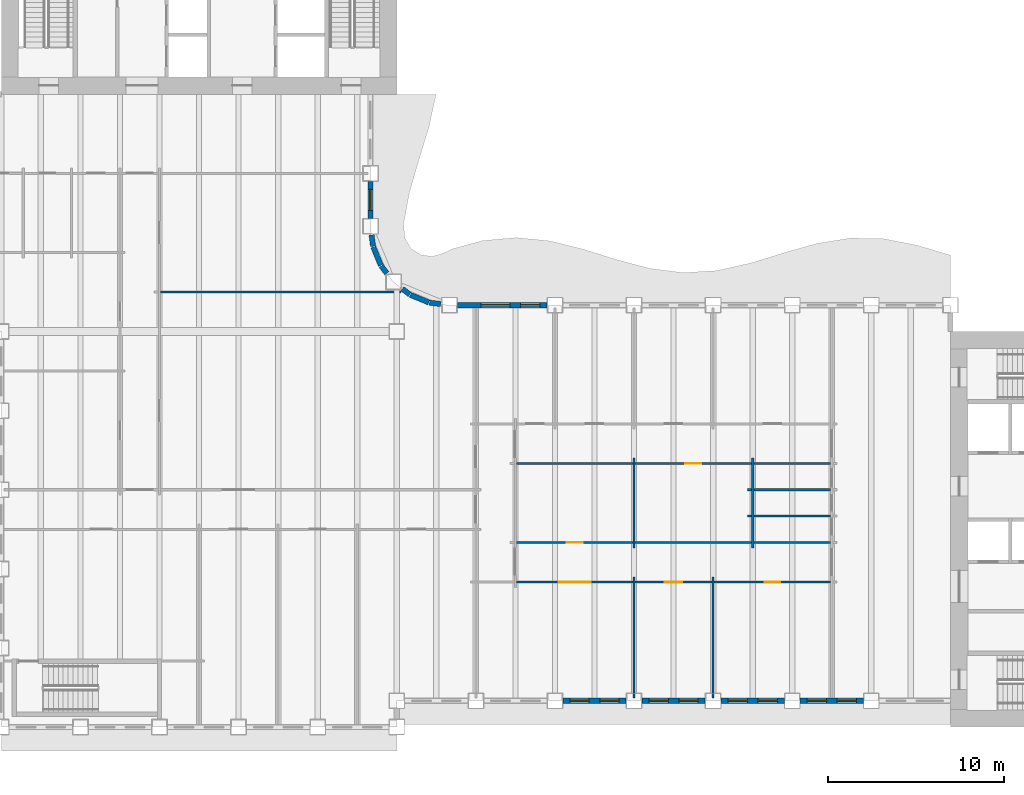
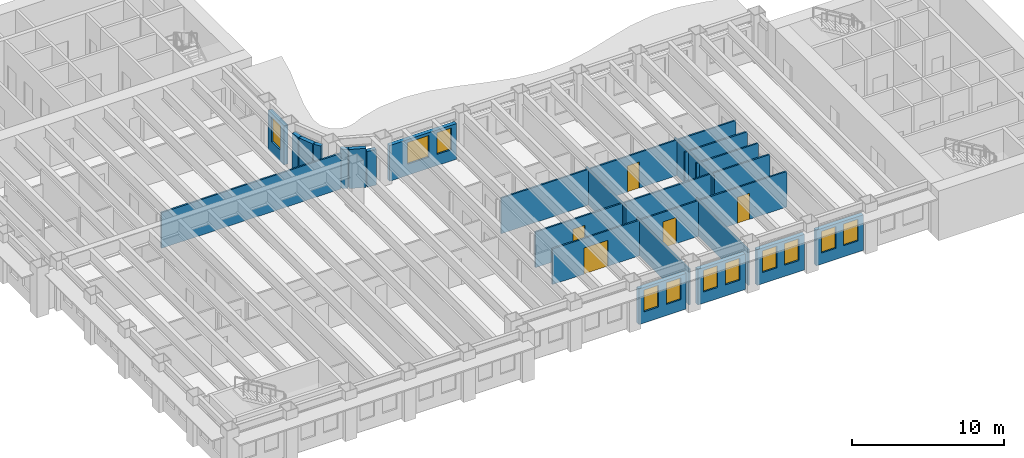
# One storey, part 5 of 16: 30 walls, 11 windows, 5 doors, 16 openings.
"""IFC4 building model written with IfcOpenShell, lengths in metres."""

import ifcopenshell
import ifcopenshell.guid

model = None  # the IFC model being written
_history = None  # IfcOwnerHistory: only IFC2X3 demands one
_inside = {}  # id of a spatial element -> (the spatial element, [elements in it])
_under = {}  # id of a project, library or spatial element -> (it, [spatial elements below it])
_declared = {}  # id of a project -> (the project, [libraries it declares])
_typed = {}  # id of a type object -> (the type object, [elements of that type])
_made_of = {}  # id of a material, layer set ... -> (it, [elements and type objects made of it])


def new_model(schema):
    """Start an empty IFC model of exactly this schema.

    Asked for "IFC4X3", IfcOpenShell would pick the latest addendum, in which some entities
    have other attributes; the version numbers below select the first issue.
    IFC2X3 requires an IfcOwnerHistory on every rooted entity: one is made here for all.
    """
    global model, _history
    if schema == "IFC4X3":
        model = ifcopenshell.file(schema_version=(4, 3, 0, 0))
    else:
        model = ifcopenshell.file(schema=schema)
    _inside.clear()
    _under.clear()
    _declared.clear()
    _typed.clear()
    _made_of.clear()
    _history = None
    if model.schema == "IFC2X3":
        org = make("IfcOrganization", Name="unknown")
        user = make(
            "IfcPersonAndOrganization",
            ThePerson=make("IfcPerson", FamilyName="unknown"),
            TheOrganization=org,
        )
        app = make(
            "IfcApplication",
            ApplicationDeveloper=org,
            Version="unknown",
            ApplicationFullName="unknown",
            ApplicationIdentifier="unknown",
        )
        _history = make(
            "IfcOwnerHistory",
            OwningUser=user,
            OwningApplication=app,
            ChangeAction="ADDED",
            CreationDate=0,
        )
    return model


def make(cls, **values):
    """One entity of the class cls with the attributes given. An attribute that is None is left unset."""
    return model.create_entity(
        cls, **{name: value for name, value in values.items() if value is not None}
    )


def rooted(cls, **values):
    """An entity with a GlobalId (a new one), such as an element, a storey or a relation."""
    return make(cls, GlobalId=ifcopenshell.guid.new(), OwnerHistory=_history, **values)


def si_unit(unit_type, name, prefix=None):
    """IfcSIUnit, for example si_unit("LENGTHUNIT", "METRE", prefix="MILLI")."""
    return make("IfcSIUnit", UnitType=unit_type, Prefix=prefix, Name=name)


def assignment(units):
    """IfcUnitAssignment: the units of a project."""
    return None if units is None else make("IfcUnitAssignment", Units=units)


def point(xyz):
    """IfcCartesianPoint."""
    return None if xyz is None else make("IfcCartesianPoint", Coordinates=xyz)


def direction(xyz):
    """IfcDirection."""
    return None if xyz is None else make("IfcDirection", DirectionRatios=xyz)


def frame(location, z_axis=None, x_axis=None):
    """IfcAxis2Placement3D, a coordinate frame: its origin and axes. An axis left out is left unset."""
    return make(
        "IfcAxis2Placement3D",
        Location=point(location),
        Axis=direction(z_axis),
        RefDirection=direction(x_axis),
    )


def frame_2d(location, x_axis=None):
    """IfcAxis2Placement2D, a coordinate frame in the plane: its origin and x axis."""
    return make(
        "IfcAxis2Placement2D", Location=point(location), RefDirection=direction(x_axis)
    )


def origin():
    """The frame at (0, 0, 0) with its axes left unset."""
    return frame((0.0, 0.0, 0.0))


def place(relative_to, where):
    """IfcLocalPlacement: puts the frame where relative to a parent placement (None: the world)."""
    return make(
        "IfcLocalPlacement", PlacementRelTo=relative_to, RelativePlacement=where
    )


def context(
    kind, dimensions, precision=None, world=None, true_north=None, identifier=None
):
    """IfcGeometricRepresentationContext, for example the 3D "Model" context."""
    return make(
        "IfcGeometricRepresentationContext",
        ContextIdentifier=identifier,
        ContextType=kind,
        CoordinateSpaceDimension=dimensions,
        Precision=precision,
        WorldCoordinateSystem=world,
        TrueNorth=true_north,
    )


def subcontext(parent, identifier, kind, view, scale=None):
    """IfcGeometricRepresentationSubContext, for example "Body" below "Model"."""
    return make(
        "IfcGeometricRepresentationSubContext",
        ContextIdentifier=identifier,
        ContextType=kind,
        ParentContext=parent,
        TargetScale=scale,
        TargetView=view,
    )


def project(units=None, contexts=None):
    """IfcProject with its units and contexts."""
    return rooted(
        "IfcProject",
        Name="project",
        RepresentationContexts=contexts,
        UnitsInContext=assignment(units),
    )


def spatial(cls, under=None, at=None, **own):
    """A site, building, storey or space (cls), placed at a placement, below another one or the project."""
    s = rooted(cls, ObjectPlacement=at, **own)
    if under is not None:
        _under.setdefault(under.id(), (under, []))[1].append(s)
    return s


def profile(cls, at=None, kind="AREA", **sizes):
    """A parametric profile (cls). Its sizes go by their IFC names, for example OverallWidth=200.0."""
    return make(cls, ProfileType=kind, Position=at, **sizes)


def rectangle(**sizes):
    """IfcRectangleProfileDef."""
    return profile("IfcRectangleProfileDef", **sizes)


def extrude(swept, where, along, depth):
    """IfcExtrudedAreaSolid: the profile swept, set in the frame where, extruded along a direction by depth."""
    return make(
        "IfcExtrudedAreaSolid",
        SweptArea=swept,
        Position=where,
        ExtrudedDirection=direction(along),
        Depth=depth,
    )


def shape(context_of_items, identifier, shape_type, items):
    """IfcShapeRepresentation: the items that make up one representation, for example the "Body"."""
    return make(
        "IfcShapeRepresentation",
        ContextOfItems=context_of_items,
        RepresentationIdentifier=identifier,
        RepresentationType=shape_type,
        Items=items,
    )


def material(Name=None, Category=None):
    """IfcMaterial."""
    return make("IfcMaterial", Name=Name, Category=Category)


def layer(
    of_material, thickness, ventilated=None, Name=None, Category=None, Priority=None
):
    """IfcMaterialLayer: one layer of a wall or slab, of a material (None: an air gap)."""
    return make(
        "IfcMaterialLayer",
        Material=of_material,
        LayerThickness=thickness,
        IsVentilated=ventilated,
        Name=Name,
        Category=Category,
        Priority=Priority,
    )


def layer_set(layers, Name=None):
    """IfcMaterialLayerSet."""
    return make("IfcMaterialLayerSet", MaterialLayers=layers, LayerSetName=Name)


def made_of(thing, what):
    """Note that an element or type object is made of a material, layer set ...; save() writes the relation."""
    if what is not None:
        _made_of.setdefault(what.id(), (what, []))[1].append(thing)
    return thing


def type_object(cls, material=None, **own):
    """A type object (cls), such as IfcWallType, which elements share."""
    return made_of(rooted(cls, **own), material)


def element(
    cls,
    number,
    at=None,
    inside=None,
    cuts=None,
    type_object=None,
    material=None,
    context=None,
    identifier="Body",
    shape_type=None,
    held_by="IfcProductDefinitionShape",
    body=None,
    shapes=None,
    **own,
):
    """One element of the class cls, such as IfcWall. Its Tag is "e" and its number.

    at: its placement. inside: the storey or other place that contains it. cuts: it is an
    opening in that element (IfcRelVoidsElement). A single representation is given by context,
    identifier, shape_type and body (its items); several are given by shapes. held_by: the class
    of the entity that holds the representations. save() writes the other relations.
    """
    e = rooted(cls, Tag="e%d" % number, ObjectPlacement=at, **own)
    if body is not None:
        shapes = [shape(context, identifier, shape_type, body)]
    if shapes is not None:
        e.Representation = make(held_by, Representations=shapes)
    if inside is not None:
        _inside.setdefault(inside.id(), (inside, []))[1].append(e)
    if cuts is not None:
        rooted(
            "IfcRelVoidsElement", RelatingBuildingElement=cuts, RelatedOpeningElement=e
        )
    if type_object is not None:
        _typed.setdefault(type_object.id(), (type_object, []))[1].append(e)
    return made_of(e, material)


def fill(opening, filler):
    """IfcRelFillsElement: the door or window that sits in an opening."""
    return rooted(
        "IfcRelFillsElement",
        RelatingOpeningElement=opening,
        RelatedBuildingElement=filler,
    )


def aggregate(whole, parts):
    """IfcRelAggregates: a whole, such as a stair, and the parts it consists of."""
    return rooted("IfcRelAggregates", RelatingObject=whole, RelatedObjects=parts)


def save(model, path):
    """Write the relations noted so far, then the file.

    IfcRelAggregates (storeys below a building ...), IfcRelContainedInSpatialStructure (elements
    in a storey), IfcRelDefinesByType, IfcRelAssociatesMaterial and IfcRelDeclares: one each for
    every whole, place, type object, material and project.
    """
    for whole, parts in _under.values():
        aggregate(whole, parts)
    for where, things in _inside.values():
        rooted(
            "IfcRelContainedInSpatialStructure",
            RelatedElements=things,
            RelatingStructure=where,
        )
    for kind, things in _typed.values():
        rooted("IfcRelDefinesByType", RelatedObjects=things, RelatingType=kind)
    for what, things in _made_of.values():
        rooted("IfcRelAssociatesMaterial", RelatedObjects=things, RelatingMaterial=what)
    for by, libraries in _declared.values():
        rooted("IfcRelDeclares", RelatingContext=by, RelatedDefinitions=libraries)
    model.write(path)


model = new_model("IFC4")

# Units and contexts
model_context = context("Model", 3, precision=1e-05, world=origin(), true_north=direction((0.0, 1.0)))
body_context = subcontext(model_context, "Body", "Model", "MODEL_VIEW")
ifc_project = project(units=[si_unit("LENGTHUNIT", "METRE"), si_unit("AREAUNIT", "SQUARE_METRE"), si_unit("VOLUMEUNIT", "CUBIC_METRE"), si_unit("PLANEANGLEUNIT", "RADIAN"), si_unit("MASSUNIT", "GRAM", prefix="KILO")], contexts=[model_context])

# Site, building, storey
site_placement = place(None, origin())
site = spatial("IfcSite", under=ifc_project, at=site_placement, CompositionType="ELEMENT")
building_placement = place(site_placement, origin())
building = spatial("IfcBuilding", under=site, at=building_placement, Name="Sennacour Bend Tower", CompositionType="ELEMENT")
storey_placement = place(building_placement, frame((0.0, 0.0, 175.0)))
storey = spatial("IfcBuildingStorey", under=building, at=storey_placement, Name="L40", CompositionType="ELEMENT", Elevation=175.0)

# Walls
ifc_material_1 = material(Name="Plasterboard partition on steel studs", Category="steel")
ifc_layer_1 = layer(ifc_material_1, 0.1201171875, Name="Plasterboard partition on steel studs", Category="steel")
ifc_layer_set_1 = layer_set([ifc_layer_1], Name="Plasterboard partition on steel studs")
wall_type_1 = type_object("IfcWallType", Name="Partition 120", PredefinedType="PARTITIONING", material=ifc_layer_set_1)
wall_1_placement = place(storey_placement, frame((36.0, 1.64990234375, 0.0), z_axis=(0.0, 0.0, 1.0), x_axis=(0.0, 1.0, 0.0)))
element("IfcWall", 1, at=wall_1_placement, inside=storey, type_object=wall_type_1, Name="P-L40-W030a", PredefinedType="PARTITIONING", context=body_context, shape_type="SweptSolid", body=[
    extrude(rectangle(XDim=6.900146484375, YDim=0.1201171875, at=frame_2d((3.4501953125, 0.0))), origin(), (0.0, 0.0, 1.0), 2.8701171875),
])
wall_2_placement = place(storey_placement, frame((36.0, 10.199951171875, 0.0), z_axis=(0.0, 0.0, 1.0), x_axis=(0.0, 1.0, 0.0)))
element("IfcWall", 2, at=wall_2_placement, inside=storey, type_object=wall_type_1, Name="P-L40-W031a", PredefinedType="PARTITIONING", context=body_context, shape_type="SweptSolid", body=[
    extrude(rectangle(XDim=5.10009765625, YDim=0.1201171875, at=frame_2d((2.550048828125, 0.0))), origin(), (0.0, 0.0, 1.0), 2.8701171875),
])
wall_3_placement = place(storey_placement, frame((40.5, 1.64990234375, 0.0), z_axis=(0.0, 0.0, 1.0), x_axis=(0.0, 1.0, 0.0)))
element("IfcWall", 3, at=wall_3_placement, inside=storey, type_object=wall_type_1, Name="P-L40-W033a", PredefinedType="PARTITIONING", context=body_context, shape_type="SweptSolid", body=[
    extrude(rectangle(XDim=6.900146484375, YDim=0.1201171875, at=frame_2d((3.4501953125, 0.0))), origin(), (0.0, 0.0, 1.0), 2.8701171875),
])
wall_4_placement = place(storey_placement, frame((42.75, 10.199951171875, 0.0), z_axis=(0.0, 0.0, 1.0), x_axis=(0.0, 1.0, 0.0)))
element("IfcWall", 4, at=wall_4_placement, inside=storey, type_object=wall_type_1, Name="P-L40-W035a", PredefinedType="PARTITIONING", context=body_context, shape_type="SweptSolid", body=[
    extrude(rectangle(XDim=5.10009765625, YDim=0.1201171875, at=frame_2d((2.550048828125, 0.0))), origin(), (0.0, 0.0, 1.0), 2.8701171875),
])

# Wall, opening, door
wall_5_placement = place(storey_placement, frame((29.31005859375, 8.25, 0.0), z_axis=(0.0, 0.0, 1.0), x_axis=(1.0, 0.0, 0.0)))
wall_5 = element("IfcWall", 5, at=wall_5_placement, inside=storey, type_object=wall_type_1, Name="P-L40-W060ac", PredefinedType="PARTITIONING", context=body_context, shape_type="SweptSolid", body=[
    extrude(rectangle(XDim=6.6298828125, YDim=0.1201171875, at=frame_2d((3.31494140625, 0.0))), origin(), (0.0, 0.0, 1.0), 2.8701171875),
])
opening_1_placement = place(wall_5_placement, frame((2.414794921875, 0.0, 0.0)))
opening_1 = element("IfcOpeningElement", 6, at=opening_1_placement, cuts=wall_5, Name="Opening OD3", PredefinedType="OPENING", context=body_context, shape_type="SweptSolid", body=[
    extrude(rectangle(XDim=1.800048828125, YDim=2.10009765625, at=frame_2d((0.89990234375, 1.050048828125))), frame((0.0, 0.070068359375, 0.0), z_axis=(0.0, -1.0, 0.0), x_axis=(1.0, 0.0, 0.0)), (0.0, 0.0, 1.0), 0.14013671875),
])
ifc_material_2 = material(Name="Timber", Category="wood")
door_type_1 = type_object("IfcDoorType", Name="DR-OFFICE-1800", OperationType="NOTDEFINED", PredefinedType="DOOR", material=ifc_material_2)
door_1_placement = place(opening_1_placement, origin())
door_1 = element("IfcDoor", 7, at=door_1_placement, inside=storey, type_object=door_type_1, Name="Door", OperationType="DOUBLE_DOOR_SINGLE_SWING", OverallHeight=2.10009765625, OverallWidth=1.800048828125, PredefinedType="DOOR", context=body_context, shape_type="SweptSolid", body=[
    extrude(rectangle(XDim=1.800048828125, YDim=2.10009765625, at=frame_2d((0.89990234375, 1.050048828125))), frame((0.0, 0.02490234375, 0.0), z_axis=(0.0, -1.0, 0.0), x_axis=(1.0, 0.0, 0.0)), (0.0, 0.0, 1.0), 0.050048828125),
])
fill(opening_1, door_1)

wall_6_placement = place(storey_placement, frame((36.06005859375, 8.25, 0.0), z_axis=(0.0, 0.0, 1.0), x_axis=(1.0, 0.0, 0.0)))
wall_6 = element("IfcWall", 8, at=wall_6_placement, inside=storey, type_object=wall_type_1, Name="P-L40-W060ad", PredefinedType="PARTITIONING", context=body_context, shape_type="SweptSolid", body=[
    extrude(rectangle(XDim=4.3798828125, YDim=0.1201171875, at=frame_2d((2.18994140625, 0.0))), origin(), (0.0, 0.0, 1.0), 2.8701171875),
])
opening_2_placement = place(wall_6_placement, frame((1.68994140625, 0.0, 0.0)))
opening_2 = element("IfcOpeningElement", 9, at=opening_2_placement, cuts=wall_6, Name="Opening OD2", PredefinedType="OPENING", context=body_context, shape_type="SweptSolid", body=[
    extrude(rectangle(XDim=1.0, YDim=2.10009765625, at=frame_2d((0.5, 1.050048828125))), frame((0.0, 0.070068359375, 0.0), z_axis=(0.0, -1.0, 0.0), x_axis=(1.0, 0.0, 0.0)), (0.0, 0.0, 1.0), 0.14013671875),
])
door_type_2 = type_object("IfcDoorType", Name="DR-OFFICE-1000", OperationType="NOTDEFINED", PredefinedType="DOOR", material=ifc_material_2)
door_2_placement = place(opening_2_placement, origin())
door_2 = element("IfcDoor", 10, at=door_2_placement, inside=storey, type_object=door_type_2, Name="Door", OperationType="SINGLE_SWING_LEFT", OverallHeight=2.10009765625, OverallWidth=1.0, PredefinedType="DOOR", context=body_context, shape_type="SweptSolid", body=[
    extrude(rectangle(XDim=1.0, YDim=2.10009765625, at=frame_2d((0.5, 1.050048828125))), frame((0.0, 0.02490234375, 0.0), z_axis=(0.0, -1.0, 0.0), x_axis=(1.0, 0.0, 0.0)), (0.0, 0.0, 1.0), 0.050048828125),
])
fill(opening_2, door_2)

# Walls
wall_7_placement = place(storey_placement, frame((36.06005859375, 10.5, 0.0), z_axis=(0.0, 0.0, 1.0), x_axis=(1.0, 0.0, 0.0)))
element("IfcWall", 11, at=wall_7_placement, inside=storey, type_object=wall_type_1, Name="P-L40-W063ac", PredefinedType="PARTITIONING", context=body_context, shape_type="SweptSolid", body=[
    extrude(rectangle(XDim=6.6298828125, YDim=0.1201171875, at=frame_2d((3.31494140625, 0.0))), origin(), (0.0, 0.0, 1.0), 2.8701171875),
])
wall_8_placement = place(storey_placement, frame((42.81005859375, 10.5, 0.0), z_axis=(0.0, 0.0, 1.0), x_axis=(1.0, 0.0, 0.0)))
element("IfcWall", 12, at=wall_8_placement, inside=storey, type_object=wall_type_1, Name="P-L40-W063ad", PredefinedType="PARTITIONING", context=body_context, shape_type="SweptSolid", body=[
    extrude(rectangle(XDim=4.3798828125, YDim=0.1201171875, at=frame_2d((2.18994140625, 0.0))), origin(), (0.0, 0.0, 1.0), 2.8701171875),
])
wall_9_placement = place(storey_placement, frame((42.449951171875, 12.0, 0.0), z_axis=(0.0, 0.0, 1.0), x_axis=(1.0, 0.0, 0.0)))
element("IfcWall", 13, at=wall_9_placement, inside=storey, type_object=wall_type_1, Name="P-L40-W067aa", PredefinedType="PARTITIONING", context=body_context, shape_type="SweptSolid", body=[
    extrude(rectangle(XDim=0.239990234375, YDim=0.1201171875, at=frame_2d((0.1201171875, 0.0))), origin(), (0.0, 0.0, 1.0), 2.8701171875),
])
wall_10_placement = place(storey_placement, frame((42.81005859375, 12.0, 0.0), z_axis=(0.0, 0.0, 1.0), x_axis=(1.0, 0.0, 0.0)))
element("IfcWall", 14, at=wall_10_placement, inside=storey, type_object=wall_type_1, Name="P-L40-W067ab", PredefinedType="PARTITIONING", context=body_context, shape_type="SweptSolid", body=[
    extrude(rectangle(XDim=4.3798828125, YDim=0.1201171875, at=frame_2d((2.18994140625, 0.0))), origin(), (0.0, 0.0, 1.0), 2.8701171875),
])
wall_11_placement = place(storey_placement, frame((42.449951171875, 13.5, 0.0), z_axis=(0.0, 0.0, 1.0), x_axis=(1.0, 0.0, 0.0)))
element("IfcWall", 15, at=wall_11_placement, inside=storey, type_object=wall_type_1, Name="P-L40-W069aa", PredefinedType="PARTITIONING", context=body_context, shape_type="SweptSolid", body=[
    extrude(rectangle(XDim=0.239990234375, YDim=0.1201171875, at=frame_2d((0.1201171875, 0.0))), origin(), (0.0, 0.0, 1.0), 2.8701171875),
])
wall_12_placement = place(storey_placement, frame((42.81005859375, 13.5, 0.0), z_axis=(0.0, 0.0, 1.0), x_axis=(1.0, 0.0, 0.0)))
element("IfcWall", 16, at=wall_12_placement, inside=storey, type_object=wall_type_1, Name="P-L40-W069ab", PredefinedType="PARTITIONING", context=body_context, shape_type="SweptSolid", body=[
    extrude(rectangle(XDim=4.3798828125, YDim=0.1201171875, at=frame_2d((2.18994140625, 0.0))), origin(), (0.0, 0.0, 1.0), 2.8701171875),
])
wall_13_placement = place(storey_placement, frame((29.31005859375, 15.0, 0.0), z_axis=(0.0, 0.0, 1.0), x_axis=(1.0, 0.0, 0.0)))
element("IfcWall", 17, at=wall_13_placement, inside=storey, type_object=wall_type_1, Name="P-L40-W070ab", PredefinedType="PARTITIONING", context=body_context, shape_type="SweptSolid", body=[
    extrude(rectangle(XDim=6.6298828125, YDim=0.1201171875, at=frame_2d((3.31494140625, 0.0))), origin(), (0.0, 0.0, 1.0), 2.8701171875),
])
wall_14_placement = place(storey_placement, frame((42.81005859375, 15.0, 0.0), z_axis=(0.0, 0.0, 1.0), x_axis=(1.0, 0.0, 0.0)))
element("IfcWall", 18, at=wall_14_placement, inside=storey, type_object=wall_type_1, Name="P-L40-W070ad", PredefinedType="PARTITIONING", context=body_context, shape_type="SweptSolid", body=[
    extrude(rectangle(XDim=4.3798828125, YDim=0.1201171875, at=frame_2d((2.18994140625, 0.0))), origin(), (0.0, 0.0, 1.0), 2.8701171875),
])
wall_15_placement = place(storey_placement, frame((9.06005859375, 24.75, 0.0), z_axis=(0.0, 0.0, 1.0), x_axis=(1.0, 0.0, 0.0)))
element("IfcWall", 19, at=wall_15_placement, inside=storey, type_object=wall_type_1, Name="P-L40-W080ab", PredefinedType="PARTITIONING", context=body_context, shape_type="SweptSolid", body=[
    extrude(rectangle(XDim=13.6904296875, YDim=0.1201171875, at=frame_2d((6.84521484375, 0.0))), origin(), (0.0, 0.0, 1.0), 2.8701171875),
])

# Wall, opening, door
ifc_layer_2 = layer(ifc_material_1, 0.1201171875, Name="Plasterboard partition on steel studs", Category="steel")
ifc_layer_set_2 = layer_set([ifc_layer_2], Name="Plasterboard partition on steel studs")
wall_type_2 = type_object("IfcWallType", Name="Partition 120 EI 60", PredefinedType="PARTITIONING", material=ifc_layer_set_2)
wall_16_placement = place(storey_placement, frame((40.56005859375, 8.25, 0.0), z_axis=(0.0, 0.0, 1.0), x_axis=(1.0, 0.0, 0.0)))
wall_16 = element("IfcWall", 20, at=wall_16_placement, inside=storey, type_object=wall_type_2, Name="P-L40-W060ae", PredefinedType="PARTITIONING", context=body_context, shape_type="SweptSolid", body=[
    extrude(rectangle(XDim=6.6298828125, YDim=0.1201171875, at=frame_2d((3.31494140625, 0.0))), origin(), (0.0, 0.0, 1.0), 2.8701171875),
])
opening_3_placement = place(wall_16_placement, frame((2.864990234375, 0.0, 0.0)))
opening_3 = element("IfcOpeningElement", 21, at=opening_3_placement, cuts=wall_16, Name="Opening SV", PredefinedType="OPENING", context=body_context, shape_type="SweptSolid", body=[
    extrude(rectangle(XDim=0.89990234375, YDim=2.10009765625, at=frame_2d((0.449951171875, 1.050048828125))), frame((0.0, 0.070068359375, 0.0), z_axis=(0.0, -1.0, 0.0), x_axis=(1.0, 0.0, 0.0)), (0.0, 0.0, 1.0), 0.14013671875),
])
ifc_material_3 = material(Name="Painted steel", Category="steel")
door_type_3 = type_object("IfcDoorType", Name="DR-SERVICE-900", OperationType="NOTDEFINED", PredefinedType="DOOR", material=ifc_material_3)
door_3_placement = place(opening_3_placement, origin())
door_3 = element("IfcDoor", 22, at=door_3_placement, inside=storey, type_object=door_type_3, Name="Door", OperationType="SINGLE_SWING_LEFT", OverallHeight=2.10009765625, OverallWidth=0.89990234375, PredefinedType="DOOR", context=body_context, shape_type="SweptSolid", body=[
    extrude(rectangle(XDim=0.89990234375, YDim=2.10009765625, at=frame_2d((0.449951171875, 1.050048828125))), frame((0.0, 0.02490234375, 0.0), z_axis=(0.0, -1.0, 0.0), x_axis=(1.0, 0.0, 0.0)), (0.0, 0.0, 1.0), 0.050048828125),
])
fill(opening_3, door_3)

wall_17_placement = place(storey_placement, frame((29.31005859375, 10.5, 0.0), z_axis=(0.0, 0.0, 1.0), x_axis=(1.0, 0.0, 0.0)))
wall_17 = element("IfcWall", 23, at=wall_17_placement, inside=storey, type_object=wall_type_2, Name="P-L40-W063ab", PredefinedType="PARTITIONING", context=body_context, shape_type="SweptSolid", body=[
    extrude(rectangle(XDim=6.6298828125, YDim=0.1201171875, at=frame_2d((3.31494140625, 0.0))), origin(), (0.0, 0.0, 1.0), 2.8701171875),
])
opening_4_placement = place(wall_17_placement, frame((2.864990234375, 0.0, 0.0)))
opening_4 = element("IfcOpeningElement", 24, at=opening_4_placement, cuts=wall_17, Name="Opening SV", PredefinedType="OPENING", context=body_context, shape_type="SweptSolid", body=[
    extrude(rectangle(XDim=0.89990234375, YDim=2.10009765625, at=frame_2d((0.449951171875, 1.050048828125))), frame((0.0, 0.070068359375, 0.0), z_axis=(0.0, -1.0, 0.0), x_axis=(1.0, 0.0, 0.0)), (0.0, 0.0, 1.0), 0.14013671875),
])
door_4_placement = place(opening_4_placement, origin())
door_4 = element("IfcDoor", 25, at=door_4_placement, inside=storey, type_object=door_type_3, Name="Door", OperationType="SINGLE_SWING_LEFT", OverallHeight=2.10009765625, OverallWidth=0.89990234375, PredefinedType="DOOR", context=body_context, shape_type="SweptSolid", body=[
    extrude(rectangle(XDim=0.89990234375, YDim=2.10009765625, at=frame_2d((0.449951171875, 1.050048828125))), frame((0.0, 0.02490234375, 0.0), z_axis=(0.0, -1.0, 0.0), x_axis=(1.0, 0.0, 0.0)), (0.0, 0.0, 1.0), 0.050048828125),
])
fill(opening_4, door_4)

wall_18_placement = place(storey_placement, frame((36.06005859375, 15.0, 0.0), z_axis=(0.0, 0.0, 1.0), x_axis=(1.0, 0.0, 0.0)))
wall_18 = element("IfcWall", 26, at=wall_18_placement, inside=storey, type_object=wall_type_2, Name="P-L40-W070ac", PredefinedType="PARTITIONING", context=body_context, shape_type="SweptSolid", body=[
    extrude(rectangle(XDim=6.6298828125, YDim=0.1201171875, at=frame_2d((3.31494140625, 0.0))), origin(), (0.0, 0.0, 1.0), 2.8701171875),
])
opening_5_placement = place(wall_18_placement, frame((2.864990234375, 0.0, 0.0)))
opening_5 = element("IfcOpeningElement", 27, at=opening_5_placement, cuts=wall_18, Name="Opening SV", PredefinedType="OPENING", context=body_context, shape_type="SweptSolid", body=[
    extrude(rectangle(XDim=0.89990234375, YDim=2.10009765625, at=frame_2d((0.449951171875, 1.050048828125))), frame((0.0, 0.070068359375, 0.0), z_axis=(0.0, -1.0, 0.0), x_axis=(1.0, 0.0, 0.0)), (0.0, 0.0, 1.0), 0.14013671875),
])
door_5_placement = place(opening_5_placement, origin())
door_5 = element("IfcDoor", 28, at=door_5_placement, inside=storey, type_object=door_type_3, Name="Door", OperationType="SINGLE_SWING_LEFT", OverallHeight=2.10009765625, OverallWidth=0.89990234375, PredefinedType="DOOR", context=body_context, shape_type="SweptSolid", body=[
    extrude(rectangle(XDim=0.89990234375, YDim=2.10009765625, at=frame_2d((0.449951171875, 1.050048828125))), frame((0.0, 0.02490234375, 0.0), z_axis=(0.0, -1.0, 0.0), x_axis=(1.0, 0.0, 0.0)), (0.0, 0.0, 1.0), 0.050048828125),
])
fill(opening_5, door_5)

# Wall, openings, windows
ifc_material_4 = material(Name="Warm limestone cladding", Category="masonry")
ifc_layer_3 = layer(ifc_material_4, 0.050048828125, Name="Warm limestone cladding", Category="masonry")
ifc_material_5 = material(Name="Precast concrete C40/50", Category="concrete")
ifc_layer_4 = layer(ifc_material_5, 0.25, Name="Precast concrete C40/50", Category="concrete")
ifc_layer_set_3 = layer_set([ifc_layer_3, ifc_layer_4], Name="Precast concrete C40/50 with limestone cladding")
wall_type_3 = type_object("IfcWallType", Name="STONE-CLAD PRECAST SPANDREL 300", PredefinedType="STANDARD", material=ifc_layer_set_3)
wall_19_placement = place(storey_placement, frame((31.949951171875, 1.5, 0.0), z_axis=(0.0, 0.0, 1.0), x_axis=(1.0, 0.0, 0.0)))
wall_19 = element("IfcWall", 29, at=wall_19_placement, inside=storey, type_object=wall_type_3, Name="Stone spandrel and pier wall L40 02.02", PredefinedType="STANDARD", context=body_context, shape_type="SweptSolid", body=[
    extrude(rectangle(XDim=3.60009765625, YDim=0.300048828125, at=frame_2d((1.800048828125, 0.0))), origin(), (0.0, 0.0, 1.0), 2.8701171875),
])
opening_6_placement = place(wall_19_placement, frame((0.39990234375, 0.0, 0.89990234375)))
opening_6 = element("IfcOpeningElement", 30, at=opening_6_placement, cuts=wall_19, Name="Opening W17", PredefinedType="OPENING", context=body_context, shape_type="SweptSolid", body=[
    extrude(rectangle(XDim=1.10009765625, YDim=1.75, at=frame_2d((0.550048828125, 0.875))), frame((0.0, 0.16015625, 0.0), z_axis=(0.0, -1.0, 0.0), x_axis=(1.0, 0.0, 0.0)), (0.0, 0.0, 1.0), 0.320068359375),
])
opening_7_placement = place(wall_19_placement, frame((2.10009765625, 0.0, 0.89990234375)))
opening_7 = element("IfcOpeningElement", 31, at=opening_7_placement, cuts=wall_19, Name="Opening W17", PredefinedType="OPENING", context=body_context, shape_type="SweptSolid", body=[
    extrude(rectangle(XDim=1.10009765625, YDim=1.75, at=frame_2d((0.550048828125, 0.875))), frame((0.0, 0.16015625, 0.0), z_axis=(0.0, -1.0, 0.0), x_axis=(1.0, 0.0, 0.0)), (0.0, 0.0, 1.0), 0.320068359375),
])
ifc_material_6 = material(Name="Clear low-emissivity glass", Category="glass")
window_type_1 = type_object("IfcWindowType", Name="WIN-RIBBON-1100x1750", PartitioningType="SINGLE_PANEL", PredefinedType="WINDOW", material=ifc_material_6)
window_1_placement = place(opening_6_placement, origin())
window_1 = element("IfcWindow", 32, at=window_1_placement, inside=storey, type_object=window_type_1, Name="Ribbon window L40 02.02.0", OverallHeight=1.75, OverallWidth=1.10009765625, PartitioningType="SINGLE_PANEL", PredefinedType="WINDOW", context=body_context, shape_type="SweptSolid", body=[
    extrude(rectangle(XDim=1.10009765625, YDim=1.75, at=frame_2d((0.550048828125, 0.875))), frame((0.0, 0.030029296875, 0.0), z_axis=(0.0, -1.0, 0.0), x_axis=(1.0, 0.0, 0.0)), (0.0, 0.0, 1.0), 0.06005859375),
])
fill(opening_6, window_1)
window_2_placement = place(opening_7_placement, origin())
window_2 = element("IfcWindow", 33, at=window_2_placement, inside=storey, type_object=window_type_1, Name="Ribbon window L40 02.02.1", OverallHeight=1.75, OverallWidth=1.10009765625, PartitioningType="SINGLE_PANEL", PredefinedType="WINDOW", context=body_context, shape_type="SweptSolid", body=[
    extrude(rectangle(XDim=1.10009765625, YDim=1.75, at=frame_2d((0.550048828125, 0.875))), frame((0.0, 0.030029296875, 0.0), z_axis=(0.0, -1.0, 0.0), x_axis=(1.0, 0.0, 0.0)), (0.0, 0.0, 1.0), 0.06005859375),
])
fill(opening_7, window_2)

wall_20_placement = place(storey_placement, frame((36.449951171875, 1.5, 0.0), z_axis=(0.0, 0.0, 1.0), x_axis=(1.0, 0.0, 0.0)))
wall_20 = element("IfcWall", 34, at=wall_20_placement, inside=storey, type_object=wall_type_3, Name="Stone spandrel and pier wall L40 02.03", PredefinedType="STANDARD", context=body_context, shape_type="SweptSolid", body=[
    extrude(rectangle(XDim=3.60009765625, YDim=0.300048828125, at=frame_2d((1.800048828125, 0.0))), origin(), (0.0, 0.0, 1.0), 2.8701171875),
])
opening_8_placement = place(wall_20_placement, frame((0.39990234375, 0.0, 0.89990234375)))
opening_8 = element("IfcOpeningElement", 35, at=opening_8_placement, cuts=wall_20, Name="Opening W17", PredefinedType="OPENING", context=body_context, shape_type="SweptSolid", body=[
    extrude(rectangle(XDim=1.10009765625, YDim=1.75, at=frame_2d((0.550048828125, 0.875))), frame((0.0, 0.16015625, 0.0), z_axis=(0.0, -1.0, 0.0), x_axis=(1.0, 0.0, 0.0)), (0.0, 0.0, 1.0), 0.320068359375),
])
opening_9_placement = place(wall_20_placement, frame((2.10009765625, 0.0, 0.89990234375)))
opening_9 = element("IfcOpeningElement", 36, at=opening_9_placement, cuts=wall_20, Name="Opening W17", PredefinedType="OPENING", context=body_context, shape_type="SweptSolid", body=[
    extrude(rectangle(XDim=1.10009765625, YDim=1.75, at=frame_2d((0.550048828125, 0.875))), frame((0.0, 0.16015625, 0.0), z_axis=(0.0, -1.0, 0.0), x_axis=(1.0, 0.0, 0.0)), (0.0, 0.0, 1.0), 0.320068359375),
])
window_3_placement = place(opening_8_placement, origin())
window_3 = element("IfcWindow", 37, at=window_3_placement, inside=storey, type_object=window_type_1, Name="Ribbon window L40 02.03.0", OverallHeight=1.75, OverallWidth=1.10009765625, PartitioningType="SINGLE_PANEL", PredefinedType="WINDOW", context=body_context, shape_type="SweptSolid", body=[
    extrude(rectangle(XDim=1.10009765625, YDim=1.75, at=frame_2d((0.550048828125, 0.875))), frame((0.0, 0.030029296875, 0.0), z_axis=(0.0, -1.0, 0.0), x_axis=(1.0, 0.0, 0.0)), (0.0, 0.0, 1.0), 0.06005859375),
])
fill(opening_8, window_3)
window_4_placement = place(opening_9_placement, origin())
window_4 = element("IfcWindow", 38, at=window_4_placement, inside=storey, type_object=window_type_1, Name="Ribbon window L40 02.03.1", OverallHeight=1.75, OverallWidth=1.10009765625, PartitioningType="SINGLE_PANEL", PredefinedType="WINDOW", context=body_context, shape_type="SweptSolid", body=[
    extrude(rectangle(XDim=1.10009765625, YDim=1.75, at=frame_2d((0.550048828125, 0.875))), frame((0.0, 0.030029296875, 0.0), z_axis=(0.0, -1.0, 0.0), x_axis=(1.0, 0.0, 0.0)), (0.0, 0.0, 1.0), 0.06005859375),
])
fill(opening_9, window_4)

wall_21_placement = place(storey_placement, frame((40.949951171875, 1.5, 0.0), z_axis=(0.0, 0.0, 1.0), x_axis=(1.0, 0.0, 0.0)))
wall_21 = element("IfcWall", 39, at=wall_21_placement, inside=storey, type_object=wall_type_3, Name="Stone spandrel and pier wall L40 02.04", PredefinedType="STANDARD", context=body_context, shape_type="SweptSolid", body=[
    extrude(rectangle(XDim=3.60009765625, YDim=0.300048828125, at=frame_2d((1.800048828125, 0.0))), origin(), (0.0, 0.0, 1.0), 2.8701171875),
])
opening_10_placement = place(wall_21_placement, frame((0.39990234375, 0.0, 0.89990234375)))
opening_10 = element("IfcOpeningElement", 40, at=opening_10_placement, cuts=wall_21, Name="Opening W17", PredefinedType="OPENING", context=body_context, shape_type="SweptSolid", body=[
    extrude(rectangle(XDim=1.10009765625, YDim=1.75, at=frame_2d((0.550048828125, 0.875))), frame((0.0, 0.16015625, 0.0), z_axis=(0.0, -1.0, 0.0), x_axis=(1.0, 0.0, 0.0)), (0.0, 0.0, 1.0), 0.320068359375),
])
opening_11_placement = place(wall_21_placement, frame((2.10009765625, 0.0, 0.89990234375)))
opening_11 = element("IfcOpeningElement", 41, at=opening_11_placement, cuts=wall_21, Name="Opening W17", PredefinedType="OPENING", context=body_context, shape_type="SweptSolid", body=[
    extrude(rectangle(XDim=1.10009765625, YDim=1.75, at=frame_2d((0.550048828125, 0.875))), frame((0.0, 0.16015625, 0.0), z_axis=(0.0, -1.0, 0.0), x_axis=(1.0, 0.0, 0.0)), (0.0, 0.0, 1.0), 0.320068359375),
])
window_5_placement = place(opening_10_placement, origin())
window_5 = element("IfcWindow", 42, at=window_5_placement, inside=storey, type_object=window_type_1, Name="Ribbon window L40 02.04.0", OverallHeight=1.75, OverallWidth=1.10009765625, PartitioningType="SINGLE_PANEL", PredefinedType="WINDOW", context=body_context, shape_type="SweptSolid", body=[
    extrude(rectangle(XDim=1.10009765625, YDim=1.75, at=frame_2d((0.550048828125, 0.875))), frame((0.0, 0.030029296875, 0.0), z_axis=(0.0, -1.0, 0.0), x_axis=(1.0, 0.0, 0.0)), (0.0, 0.0, 1.0), 0.06005859375),
])
fill(opening_10, window_5)
window_6_placement = place(opening_11_placement, origin())
window_6 = element("IfcWindow", 43, at=window_6_placement, inside=storey, type_object=window_type_1, Name="Ribbon window L40 02.04.1", OverallHeight=1.75, OverallWidth=1.10009765625, PartitioningType="SINGLE_PANEL", PredefinedType="WINDOW", context=body_context, shape_type="SweptSolid", body=[
    extrude(rectangle(XDim=1.10009765625, YDim=1.75, at=frame_2d((0.550048828125, 0.875))), frame((0.0, 0.030029296875, 0.0), z_axis=(0.0, -1.0, 0.0), x_axis=(1.0, 0.0, 0.0)), (0.0, 0.0, 1.0), 0.06005859375),
])
fill(opening_11, window_6)

wall_22_placement = place(storey_placement, frame((45.449951171875, 1.5, 0.0), z_axis=(0.0, 0.0, 1.0), x_axis=(1.0, 0.0, 0.0)))
wall_22 = element("IfcWall", 44, at=wall_22_placement, inside=storey, type_object=wall_type_3, Name="Stone spandrel and pier wall L40 02.05", PredefinedType="STANDARD", context=body_context, shape_type="SweptSolid", body=[
    extrude(rectangle(XDim=3.60009765625, YDim=0.300048828125, at=frame_2d((1.800048828125, 0.0))), origin(), (0.0, 0.0, 1.0), 2.8701171875),
])
opening_12_placement = place(wall_22_placement, frame((0.39990234375, 0.0, 0.89990234375)))
opening_12 = element("IfcOpeningElement", 45, at=opening_12_placement, cuts=wall_22, Name="Opening W17", PredefinedType="OPENING", context=body_context, shape_type="SweptSolid", body=[
    extrude(rectangle(XDim=1.10009765625, YDim=1.75, at=frame_2d((0.550048828125, 0.875))), frame((0.0, 0.16015625, 0.0), z_axis=(0.0, -1.0, 0.0), x_axis=(1.0, 0.0, 0.0)), (0.0, 0.0, 1.0), 0.320068359375),
])
opening_13_placement = place(wall_22_placement, frame((2.10009765625, 0.0, 0.89990234375)))
opening_13 = element("IfcOpeningElement", 46, at=opening_13_placement, cuts=wall_22, Name="Opening W17", PredefinedType="OPENING", context=body_context, shape_type="SweptSolid", body=[
    extrude(rectangle(XDim=1.10009765625, YDim=1.75, at=frame_2d((0.550048828125, 0.875))), frame((0.0, 0.16015625, 0.0), z_axis=(0.0, -1.0, 0.0), x_axis=(1.0, 0.0, 0.0)), (0.0, 0.0, 1.0), 0.320068359375),
])
window_7_placement = place(opening_12_placement, origin())
window_7 = element("IfcWindow", 47, at=window_7_placement, inside=storey, type_object=window_type_1, Name="Ribbon window L40 02.05.0", OverallHeight=1.75, OverallWidth=1.10009765625, PartitioningType="SINGLE_PANEL", PredefinedType="WINDOW", context=body_context, shape_type="SweptSolid", body=[
    extrude(rectangle(XDim=1.10009765625, YDim=1.75, at=frame_2d((0.550048828125, 0.875))), frame((0.0, 0.030029296875, 0.0), z_axis=(0.0, -1.0, 0.0), x_axis=(1.0, 0.0, 0.0)), (0.0, 0.0, 1.0), 0.06005859375),
])
fill(opening_12, window_7)
window_8_placement = place(opening_13_placement, origin())
window_8 = element("IfcWindow", 48, at=window_8_placement, inside=storey, type_object=window_type_1, Name="Ribbon window L40 02.05.1", OverallHeight=1.75, OverallWidth=1.10009765625, PartitioningType="SINGLE_PANEL", PredefinedType="WINDOW", context=body_context, shape_type="SweptSolid", body=[
    extrude(rectangle(XDim=1.10009765625, YDim=1.75, at=frame_2d((0.550048828125, 0.875))), frame((0.0, 0.030029296875, 0.0), z_axis=(0.0, -1.0, 0.0), x_axis=(1.0, 0.0, 0.0)), (0.0, 0.0, 1.0), 0.06005859375),
])
fill(opening_13, window_8)

wall_23_placement = place(storey_placement, frame((31.050048828125, 24.0, 0.0), z_axis=(0.0, 0.0, 1.0), x_axis=(-1.0, 0.0, 0.0)))
wall_23 = element("IfcWall", 49, at=wall_23_placement, inside=storey, type_object=wall_type_3, Name="Stone spandrel and pier wall L40 08.05", PredefinedType="STANDARD", context=body_context, shape_type="SweptSolid", body=[
    extrude(rectangle(XDim=5.10009765625, YDim=0.300048828125, at=frame_2d((2.550048828125, 0.0))), origin(), (0.0, 0.0, 1.0), 2.8701171875),
])
opening_14_placement = place(wall_23_placement, frame((0.39990234375, 0.0, 0.89990234375)))
opening_14 = element("IfcOpeningElement", 50, at=opening_14_placement, cuts=wall_23, Name="Opening W17", PredefinedType="OPENING", context=body_context, shape_type="SweptSolid", body=[
    extrude(rectangle(XDim=1.10009765625, YDim=1.75, at=frame_2d((0.550048828125, 0.875))), frame((0.0, 0.16015625, 0.0), z_axis=(0.0, -1.0, 0.0), x_axis=(1.0, 0.0, 0.0)), (0.0, 0.0, 1.0), 0.320068359375),
])
opening_15_placement = place(wall_23_placement, frame((2.10009765625, 0.0, 0.89990234375)))
opening_15 = element("IfcOpeningElement", 51, at=opening_15_placement, cuts=wall_23, Name="Opening W18", PredefinedType="OPENING", context=body_context, shape_type="SweptSolid", body=[
    extrude(rectangle(XDim=1.64990234375, YDim=1.75, at=frame_2d((0.824951171875, 0.875))), frame((0.0, 0.16015625, 0.0), z_axis=(0.0, -1.0, 0.0), x_axis=(1.0, 0.0, 0.0)), (0.0, 0.0, 1.0), 0.320068359375),
])
window_9_placement = place(opening_14_placement, origin())
window_9 = element("IfcWindow", 52, at=window_9_placement, inside=storey, type_object=window_type_1, Name="Ribbon window L40 08.05.0", OverallHeight=1.75, OverallWidth=1.10009765625, PartitioningType="SINGLE_PANEL", PredefinedType="WINDOW", context=body_context, shape_type="SweptSolid", body=[
    extrude(rectangle(XDim=1.10009765625, YDim=1.75, at=frame_2d((0.550048828125, 0.875))), frame((0.0, 0.030029296875, 0.0), z_axis=(0.0, -1.0, 0.0), x_axis=(1.0, 0.0, 0.0)), (0.0, 0.0, 1.0), 0.06005859375),
])
fill(opening_14, window_9)
window_type_2 = type_object("IfcWindowType", Name="WIN-RIBBON-1650x1750", PartitioningType="SINGLE_PANEL", PredefinedType="WINDOW", material=ifc_material_6)
window_10_placement = place(opening_15_placement, origin())
window_10 = element("IfcWindow", 53, at=window_10_placement, inside=storey, type_object=window_type_2, Name="Ribbon window L40 08.05.1", OverallHeight=1.75, OverallWidth=1.64990234375, PartitioningType="SINGLE_PANEL", PredefinedType="WINDOW", context=body_context, shape_type="SweptSolid", body=[
    extrude(rectangle(XDim=1.64990234375, YDim=1.75, at=frame_2d((0.824951171875, 0.875))), frame((0.0, 0.030029296875, 0.0), z_axis=(0.0, -1.0, 0.0), x_axis=(1.0, 0.0, 0.0)), (0.0, 0.0, 1.0), 0.06005859375),
])
fill(opening_15, window_10)

# Walls
wall_24_placement = place(storey_placement, frame((24.99951171875, 24.06591796875, 0.0), z_axis=(0.0, 0.0, 1.0), x_axis=(-0.991423590996, 0.130687655177, 0.0)))
element("IfcWall", 54, at=wall_24_placement, inside=storey, type_object=wall_type_3, Name="Stone spandrel and pier wall L40 09.00", PredefinedType="STANDARD", context=body_context, shape_type="SweptSolid", body=[
    extrude(rectangle(XDim=0.650146484375, YDim=0.300048828125, at=frame_2d((0.3251953125, 0.0))), origin(), (0.0, 0.0, 1.0), 2.8701171875),
])
wall_25_placement = place(storey_placement, frame((24.317138671875, 24.160888671875, 0.0), z_axis=(0.0, 0.0, 1.0), x_axis=(-0.923914616768, 0.382598720491, 0.0)))
element("IfcWall", 55, at=wall_25_placement, inside=storey, type_object=wall_type_3, Name="Stone spandrel and pier wall L40 10.00", PredefinedType="STANDARD", context=body_context, shape_type="SweptSolid", body=[
    extrude(rectangle(XDim=1.13525390625, YDim=0.300048828125, at=frame_2d((0.567626953125, 0.0))), origin(), (0.0, 0.0, 1.0), 3.14892578125),
])
for number, where, z_axis, x_axis, name in (
    (56, (23.234375, 24.614990234375, 0.0), (0.0, 0.0, 1.0), (-0.793523857856, 0.608539141726, 0.0), "Stone spandrel and pier wall L40 11.00"),
    (57, (21.933837890625, 25.818603515625, 0.0), (0.0, 0.0, 1.0), (-0.608539141726, 0.793523857856, 0.0), "Stone spandrel and pier wall L40 12.00"),
):
    element("IfcWall", number, at=place(storey_placement, frame(where, z_axis=z_axis, x_axis=x_axis)), inside=storey, type_object=wall_type_3, Name=name, PredefinedType="STANDARD", context=body_context, shape_type="SweptSolid", body=[
        extrude(rectangle(XDim=0.52392578125, YDim=0.300048828125, at=frame_2d((0.261962890625, 0.0))), origin(), (0.0, 0.0, 1.0), 3.14892578125),
    ])
wall_26_placement = place(storey_placement, frame((21.59521484375, 26.268310546875, 0.0), z_axis=(0.0, 0.0, 1.0), x_axis=(-0.382598720491, 0.923914616768, 0.0)))
element("IfcWall", 58, at=wall_26_placement, inside=storey, type_object=wall_type_3, Name="Stone spandrel and pier wall L40 13.00", PredefinedType="STANDARD", context=body_context, shape_type="SweptSolid", body=[
    extrude(rectangle(XDim=1.13525390625, YDim=0.300048828125, at=frame_2d((0.567626953125, 0.0))), origin(), (0.0, 0.0, 1.0), 3.14892578125),
])
wall_27_placement = place(storey_placement, frame((21.15087890625, 27.35498046875, 0.0), z_axis=(0.0, 0.0, 1.0), x_axis=(-0.130687655177, 0.991423590996, 0.0)))
element("IfcWall", 59, at=wall_27_placement, inside=storey, type_object=wall_type_3, Name="Stone spandrel and pier wall L40 14.00", PredefinedType="STANDARD", context=body_context, shape_type="SweptSolid", body=[
    extrude(rectangle(XDim=0.650146484375, YDim=0.300048828125, at=frame_2d((0.3251953125, 0.0))), origin(), (0.0, 0.0, 1.0), 3.14892578125),
])

# Wall, opening, window
wall_28_placement = place(storey_placement, frame((21.0, 28.949951171875, 0.0), z_axis=(0.0, 0.0, 1.0), x_axis=(0.0, 1.0, 0.0)))
wall_28 = element("IfcWall", 60, at=wall_28_placement, inside=storey, type_object=wall_type_3, Name="Stone spandrel and pier wall L40 15.00", PredefinedType="STANDARD", context=body_context, shape_type="SweptSolid", body=[
    extrude(rectangle(XDim=2.10009765625, YDim=0.300048828125, at=frame_2d((1.050048828125, 0.0))), origin(), (0.0, 0.0, 1.0), 3.14892578125),
])
opening_16_placement = place(wall_28_placement, frame((0.449951171875, 0.0, 0.89990234375)))
opening_16 = element("IfcOpeningElement", 61, at=opening_16_placement, cuts=wall_28, Name="Opening W14", PredefinedType="OPENING", context=body_context, shape_type="SweptSolid", body=[
    extrude(rectangle(XDim=1.199951171875, YDim=2.0, at=frame_2d((0.60009765625, 1.0))), frame((0.0, 0.16015625, 0.0), z_axis=(0.0, -1.0, 0.0), x_axis=(1.0, 0.0, 0.0)), (0.0, 0.0, 1.0), 0.320068359375),
])
window_type_3 = type_object("IfcWindowType", Name="WIN-RIBBON-1200x2000", PartitioningType="SINGLE_PANEL", PredefinedType="WINDOW", material=ifc_material_6)
window_11_placement = place(opening_16_placement, origin())
window_11 = element("IfcWindow", 62, at=window_11_placement, inside=storey, type_object=window_type_3, Name="Ribbon window L40 15.00", OverallHeight=2.0, OverallWidth=1.199951171875, PartitioningType="SINGLE_PANEL", PredefinedType="WINDOW", context=body_context, shape_type="SweptSolid", body=[
    extrude(rectangle(XDim=1.199951171875, YDim=2.0, at=frame_2d((0.60009765625, 1.0))), frame((0.0, 0.030029296875, 0.0), z_axis=(0.0, -1.0, 0.0), x_axis=(1.0, 0.0, 0.0)), (0.0, 0.0, 1.0), 0.06005859375),
])
fill(opening_16, window_11)

save(model, "model.ifc")
